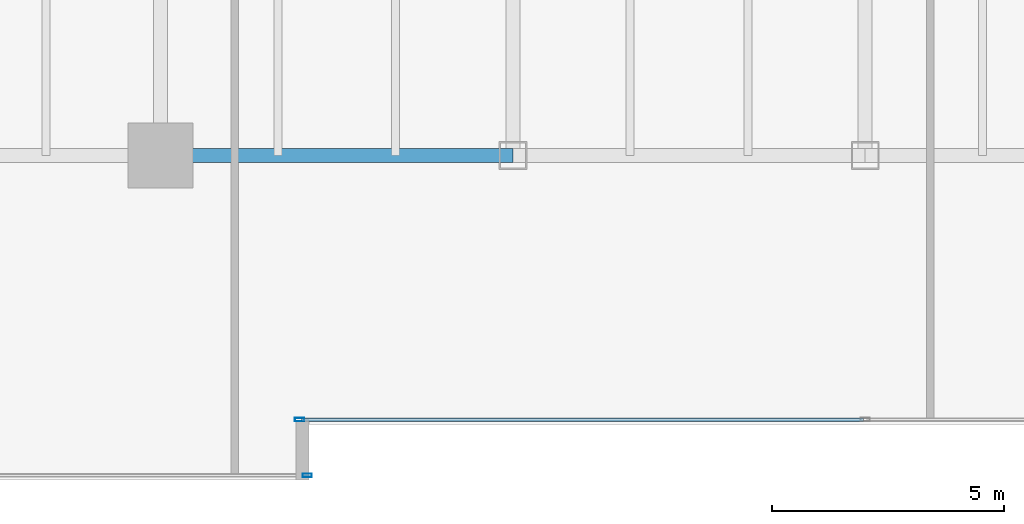
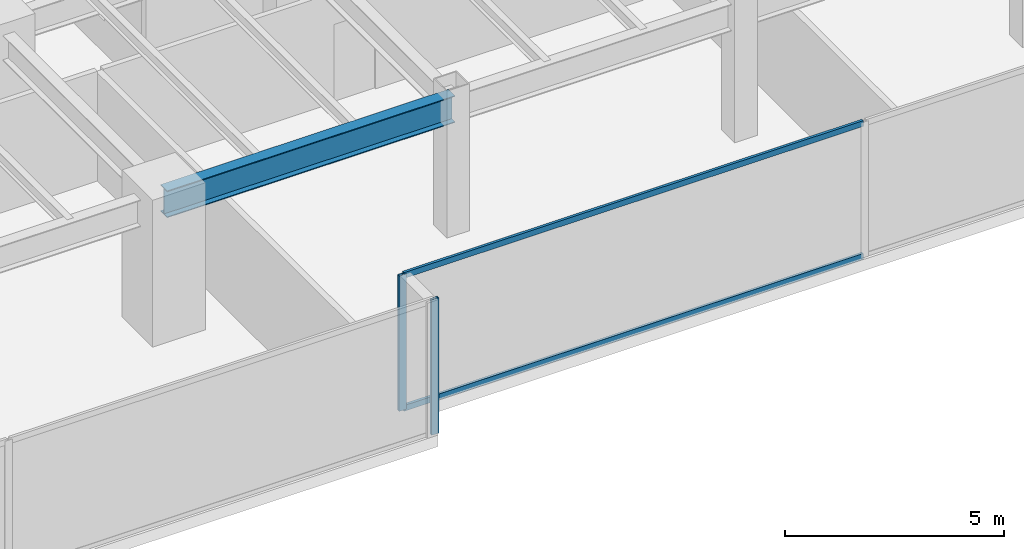
# One storey, part 4 of 35: 4 members, 1 beam, 2 elements without a shape of their own.
"""IFC4 building model written with IfcOpenShell, lengths in metres."""

from ifc_helpers import new_model, si_unit, direction, frame, origin, origin_2d, place, context, subcontext, project, spatial, hollow_rectangle, i_section, extrude, source, transform, mapped, material, layer, layer_set, material_profile, profile_set, type_object, type_shapes, element, aggregate, save


model = new_model("IFC4")

# Units and contexts
model_context = context("Model", 3, precision=1e-05, world=origin(), true_north=direction((0.0, 1.0)))
body_context = subcontext(model_context, "Body", "Model", "MODEL_VIEW")
ifc_project = project(units=[si_unit("LENGTHUNIT", "METRE"), si_unit("AREAUNIT", "SQUARE_METRE"), si_unit("VOLUMEUNIT", "CUBIC_METRE"), si_unit("PLANEANGLEUNIT", "RADIAN"), si_unit("MASSUNIT", "GRAM", prefix="KILO")], contexts=[model_context])

# Site, building, storey
site_placement = place(None, origin())
site = spatial("IfcSite", under=ifc_project, at=site_placement, CompositionType="ELEMENT")
building_placement = place(site_placement, origin())
building = spatial("IfcBuilding", under=site, at=building_placement, Name="Haelvirn Gate Laboratories", CompositionType="ELEMENT")
storey_placement = place(building_placement, frame((0.0, 0.0, 45.699951171875)))
storey = spatial("IfcBuildingStorey", under=building, at=storey_placement, Name="L11", CompositionType="ELEMENT", Elevation=45.699951171875)

# Beam
ifc_material_1 = material(Name="Steel SM355", Category="steel")
ifc_material_profile_1 = material_profile(ifc_material_1, i_section(OverallWidth=0.300048828125, OverallDepth=0.75, WebThickness=0.013916015625, FlangeThickness=0.02392578125, at=origin_2d()), Name="H-750x300x14x24")
ifc_profile_set_1 = profile_set([ifc_material_profile_1], Name="Steel SM355")
beam_type = type_object("IfcBeamType", Name="BM-G-750", PredefinedType="BEAM", material=ifc_profile_set_1)
shared_shape_1 = source(origin(), body_context, "Body", "SweptSolid", [
    extrude(i_section(OverallWidth=0.300048828125, OverallDepth=0.75, WebThickness=0.013916015625, FlangeThickness=0.02392578125, at=origin_2d()), origin(), (0.0, 0.0, 1.0), 7.60009765625),
])
type_shapes(beam_type, [shared_shape_1])
beam_placement = place(storey_placement, frame((22.199951171875, 7.0, 3.405029296875), z_axis=(1.0, 0.0, 0.0), x_axis=(0.0, 1.0, 0.0)))
element("IfcBeam", 1, at=beam_placement, inside=storey, type_object=beam_type, Name="L11 Primary Girder Y7.0 (22.2-29.8)", PredefinedType="BEAM", context=body_context, shape_type="MappedRepresentation", body=[
    mapped(shared_shape_1, transform((0.0, 0.0, 0.0), scale=1.0)),
])

# Curtain wall, member
ifc_material_2 = material(Name="Anodised bronze unitised aluminium & triple low-E glass", Category="aluminium")
ifc_layer = layer(ifc_material_2, 0.18408203125, Name="CW-SYS-2")
ifc_layer_set = layer_set([ifc_layer], Name="Anodised bronze unitised aluminium & triple low-E glass")
curtain_wall_type = type_object("IfcCurtainWallType", Name="CW-SYS-2", PredefinedType="NOTDEFINED", material=ifc_layer_set)
curtain_wall_1_placement = place(storey_placement, origin())
curtain_wall_1 = element("IfcCurtainWall", 2, at=curtain_wall_1_placement, inside=storey, type_object=curtain_wall_type, Name="L11 Unitised Curtain Wall CW-L11-P0-E00-1", PredefinedType="NOTDEFINED")
ifc_material_3 = material(Name="Extruded aluminium 6063-T6 (anodised bronze)", Category="aluminium")
ifc_material_profile_2 = material_profile(ifc_material_3, hollow_rectangle(XDim=0.074951171875, YDim=0.199951171875, WallThickness=0.0048828125, at=origin_2d()), Name="CWM-200x75x5")
ifc_profile_set_2 = profile_set([ifc_material_profile_2], Name="Extruded aluminium 6063-T6 (anodised bronze)")
member_type_1 = type_object("IfcMemberType", Name="CWM-T200", PredefinedType="MULLION", material=ifc_profile_set_2)
shared_shape_2 = source(origin(), body_context, "Body", "SweptSolid", [
    extrude(hollow_rectangle(XDim=0.074951171875, YDim=0.199951171875, WallThickness=0.0048828125, at=origin_2d()), origin(), (0.0, 0.0, 1.0), 3.780029296875),
])
type_shapes(member_type_1, [shared_shape_2])
member_1_placement = place(storey_placement, frame((25.362548828125, 0.10009765625, 0.0), z_axis=(0.0, 0.0, 1.0), x_axis=(0.0, 1.0, 0.0)))
member_1 = element("IfcMember", 3, at=member_1_placement, type_object=member_type_1, Name="CW2 mullion 3", PredefinedType="MULLION", context=body_context, shape_type="MappedRepresentation", body=[
    mapped(shared_shape_2, transform((0.0, 0.0, 0.0), scale=1.0)),
])
aggregate(curtain_wall_1, [member_1])

# Curtain wall, members
curtain_wall_2_placement = place(storey_placement, origin())
curtain_wall_2 = element("IfcCurtainWall", 4, at=curtain_wall_2_placement, inside=storey, type_object=curtain_wall_type, Name="L11 Unitised Curtain Wall CW-L11-P0-E02-1", PredefinedType="NOTDEFINED")
member_2_placement = place(storey_placement, frame((25.197509765625, 1.300048828125, 0.0), z_axis=(0.0, 0.0, 1.0), x_axis=(0.0, 1.0, 0.0)))
member_2 = element("IfcMember", 5, at=member_2_placement, type_object=member_type_1, Name="CW2 mullion 1", PredefinedType="MULLION", context=body_context, shape_type="MappedRepresentation", body=[
    mapped(shared_shape_2, transform((0.0, 0.0, 0.0), scale=1.0)),
])
ifc_material_profile_3 = material_profile(ifc_material_3, hollow_rectangle(XDim=0.070068359375, YDim=0.159912109375, WallThickness=0.0048828125, at=origin_2d()), Name="CWT-160x70x5")
ifc_profile_set_3 = profile_set([ifc_material_profile_3], Name="Extruded aluminium 6063-T6 (anodised bronze)")
member_type_2 = type_object("IfcMemberType", Name="CWT-T160", PredefinedType="USERDEFINED", material=ifc_profile_set_3)
shared_shape_3 = source(origin(), body_context, "Body", "SweptSolid", [
    extrude(hollow_rectangle(XDim=0.070068359375, YDim=0.159912109375, WallThickness=0.0048828125, at=origin_2d()), origin(), (0.0, 0.0, 1.0), 12.12744140625),
])
type_shapes(member_type_2, [shared_shape_3])
member_3_placement = place(storey_placement, frame((25.235107421875, 1.300048828125, 0.03515625), z_axis=(1.0, 0.0, 0.0), x_axis=(0.0, 1.0, 0.0)))
member_3 = element("IfcMember", 6, at=member_3_placement, type_object=member_type_2, Name="CW2 transom 1.1", ObjectType="TRANSOM", PredefinedType="USERDEFINED", context=body_context, shape_type="MappedRepresentation", body=[
    mapped(shared_shape_3, transform((0.0, 0.0, 0.0), scale=1.0)),
])
member_4_placement = place(storey_placement, frame((25.235107421875, 1.300048828125, 3.7451171875), z_axis=(1.0, 0.0, 0.0), x_axis=(0.0, 1.0, 0.0)))
member_4 = element("IfcMember", 7, at=member_4_placement, type_object=member_type_2, Name="CW2 transom 1.2", ObjectType="TRANSOM", PredefinedType="USERDEFINED", context=body_context, shape_type="MappedRepresentation", body=[
    mapped(shared_shape_3, transform((0.0, 0.0, 0.0), scale=1.0)),
])
aggregate(curtain_wall_2, [member_2, member_3, member_4])

save(model, "model.ifc")
